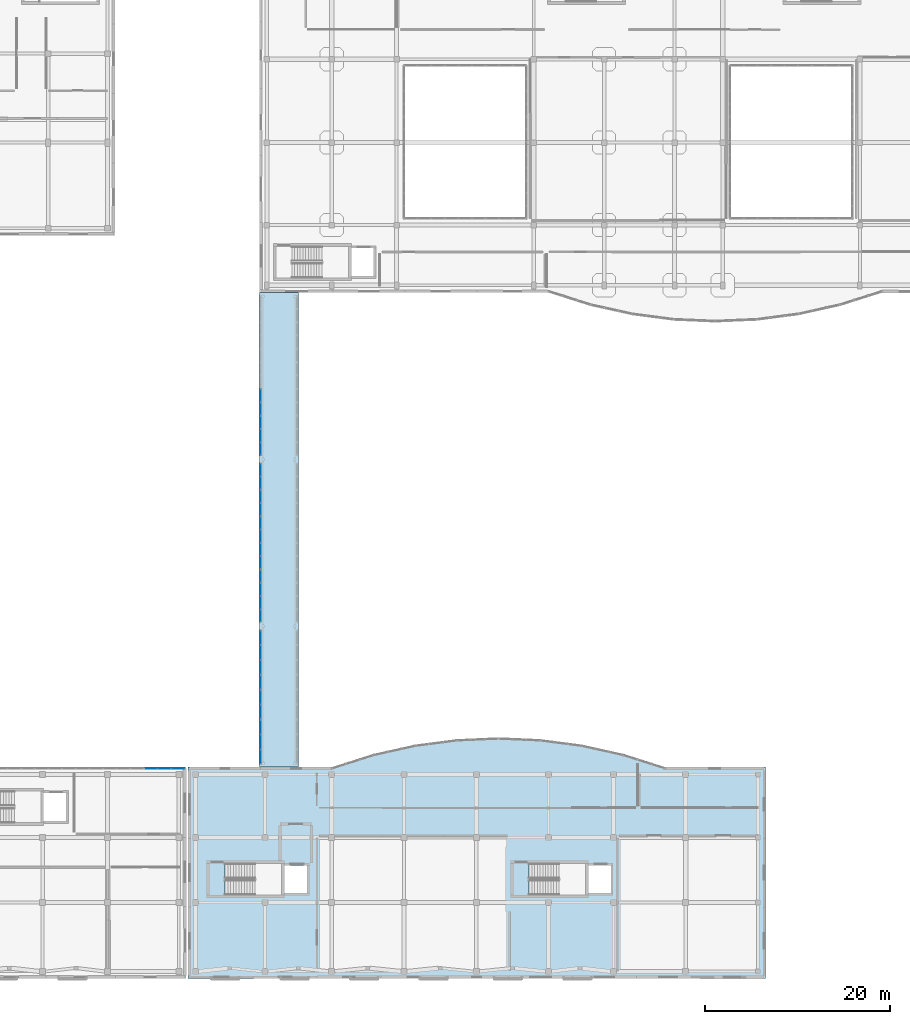
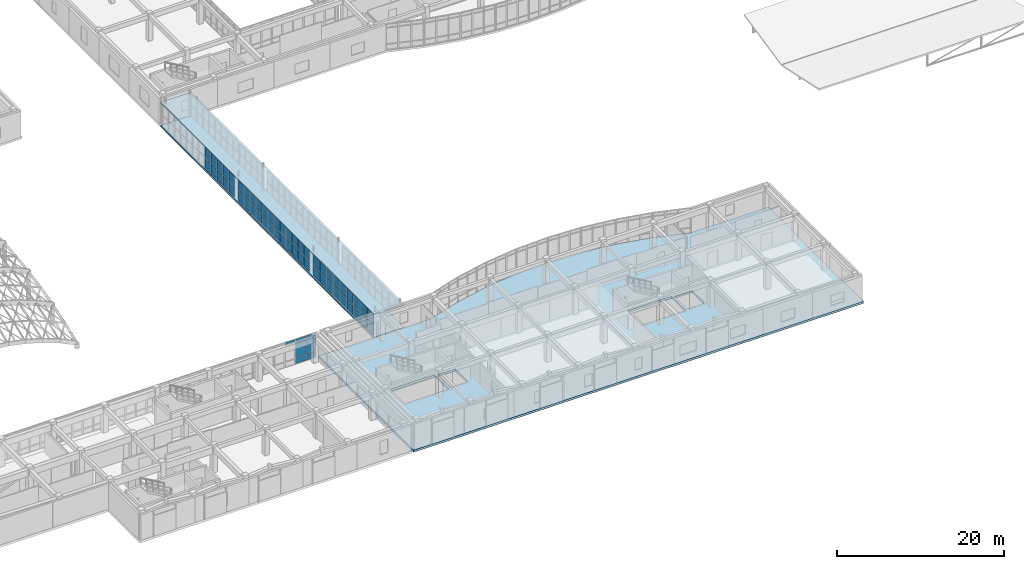
# One storey, part 113 of 146: 59 plates, 3 slabs, 9 elements without a shape of their own.
"""IFC4 building model written with IfcOpenShell, lengths in metres."""

from ifc_helpers import new_model, si_unit, direction, frame, origin, origin_2d, place, context, subcontext, project, spatial, polyline, rectangle, outline, extrude, material, layer, layer_set, type_object, element, aggregate, save


model = new_model("IFC4")

# Units and contexts
model_context = context("Model", 3, precision=1e-05, world=origin(), true_north=direction((0.0, 1.0)))
body_context = subcontext(model_context, "Body", "Model", "MODEL_VIEW")
ifc_project = project(units=[si_unit("LENGTHUNIT", "METRE"), si_unit("AREAUNIT", "SQUARE_METRE"), si_unit("VOLUMEUNIT", "CUBIC_METRE"), si_unit("PLANEANGLEUNIT", "RADIAN"), si_unit("MASSUNIT", "GRAM", prefix="KILO")], contexts=[model_context])

# Site, building, storey
site_placement = place(None, origin())
site = spatial("IfcSite", under=ifc_project, at=site_placement, CompositionType="ELEMENT")
building_placement = place(site_placement, origin())
building = spatial("IfcBuilding", under=site, at=building_placement, Name="Valcora Specialist Clinic", CompositionType="ELEMENT")
storey_placement = place(building_placement, frame((0.0, 0.0, 9.52001953125)))
storey = spatial("IfcBuildingStorey", under=building, at=storey_placement, Name="L02", CompositionType="ELEMENT", Elevation=9.52001953125)

# Curtain wall, plates
ifc_material_1 = material(Name="Anodized Bronze Aluminium 6063-T6", Category="aluminium")
ifc_layer_1 = layer(ifc_material_1, 0.175048828125)
ifc_layer_set_1 = layer_set([ifc_layer_1], Name="Anodized Bronze Aluminium 6063-T6")
curtain_wall_type_1 = type_object("IfcCurtainWallType", Name="TY-CW-BRG14", PredefinedType="NOTDEFINED", material=ifc_layer_set_1)
curtain_wall_1_placement = place(storey_placement, origin())
curtain_wall_1 = element("IfcCurtainWall", 1, at=curtain_wall_1_placement, inside=storey, type_object=curtain_wall_type_1, Name="Curtain wall CW-L02-250", PredefinedType="NOTDEFINED")
ifc_material_2 = material(Name="Low-E Laminated Insulating Glass", Category="glass")
ifc_layer_2 = layer(ifc_material_2, 0.028076171875)
ifc_layer_set_2 = layer_set([ifc_layer_2], Name="Low-E Laminated Insulating Glass")
plate_type_1 = type_object("IfcPlateType", Name="TY-CWP-GLZ28", PredefinedType="CURTAIN_PANEL", material=ifc_layer_set_2)
plate_1_placement = place(storey_placement, frame((61.320068359375, 28.755126953125, 0.06494140625), z_axis=(0.0, 0.0, 1.0), x_axis=(0.0, 1.0, 0.0)))
plate_1 = element("IfcPlate", 2, at=plate_1_placement, type_object=plate_type_1, Name="CW-BRG-14 panel 1.1", PredefinedType="CURTAIN_PANEL", context=body_context, shape_type="SweptSolid", body=[
    extrude(rectangle(XDim=1.513671875, YDim=0.028076171875, at=origin_2d()), origin(), (0.0, 0.0, 1.0), 1.5224609375),
])
plate_2_placement = place(storey_placement, frame((61.320068359375, 28.755126953125, 1.652587890625), z_axis=(0.0, 0.0, 1.0), x_axis=(0.0, 1.0, 0.0)))
plate_2 = element("IfcPlate", 3, at=plate_2_placement, type_object=plate_type_1, Name="CW-BRG-14 panel 1.2", PredefinedType="CURTAIN_PANEL", context=body_context, shape_type="SweptSolid", body=[
    extrude(rectangle(XDim=1.513671875, YDim=0.028076171875, at=origin_2d()), origin(), (0.0, 0.0, 1.0), 1.5224609375),
])
plate_3_placement = place(storey_placement, frame((61.320068359375, 30.35009765625, 0.06494140625), z_axis=(0.0, 0.0, 1.0), x_axis=(0.0, 1.0, 0.0)))
plate_3 = element("IfcPlate", 4, at=plate_3_placement, type_object=plate_type_1, Name="CW-BRG-14 panel 2.1", PredefinedType="CURTAIN_PANEL", context=body_context, shape_type="SweptSolid", body=[
    extrude(rectangle(XDim=1.546142578125, YDim=0.028076171875, at=origin_2d()), origin(), (0.0, 0.0, 1.0), 1.5224609375),
])
plate_4_placement = place(storey_placement, frame((61.320068359375, 30.35009765625, 1.652587890625), z_axis=(0.0, 0.0, 1.0), x_axis=(0.0, 1.0, 0.0)))
plate_4 = element("IfcPlate", 5, at=plate_4_placement, type_object=plate_type_1, Name="CW-BRG-14 panel 2.2", PredefinedType="CURTAIN_PANEL", context=body_context, shape_type="SweptSolid", body=[
    extrude(rectangle(XDim=1.546142578125, YDim=0.028076171875, at=origin_2d()), origin(), (0.0, 0.0, 1.0), 1.5224609375),
])
plate_5_placement = place(storey_placement, frame((61.320068359375, 31.94482421875, 0.06494140625), z_axis=(0.0, 0.0, 1.0), x_axis=(0.0, 1.0, 0.0)))
plate_5 = element("IfcPlate", 6, at=plate_5_placement, type_object=plate_type_1, Name="CW-BRG-14 panel 3.1", PredefinedType="CURTAIN_PANEL", context=body_context, shape_type="SweptSolid", body=[
    extrude(rectangle(XDim=1.513671875, YDim=0.028076171875, at=origin_2d()), origin(), (0.0, 0.0, 1.0), 1.5224609375),
])
plate_6_placement = place(storey_placement, frame((61.320068359375, 31.94482421875, 1.652587890625), z_axis=(0.0, 0.0, 1.0), x_axis=(0.0, 1.0, 0.0)))
plate_6 = element("IfcPlate", 7, at=plate_6_placement, type_object=plate_type_1, Name="CW-BRG-14 panel 3.2", PredefinedType="CURTAIN_PANEL", context=body_context, shape_type="SweptSolid", body=[
    extrude(rectangle(XDim=1.513671875, YDim=0.028076171875, at=origin_2d()), origin(), (0.0, 0.0, 1.0), 1.5224609375),
])
aggregate(curtain_wall_1, [plate_1, plate_2, plate_3, plate_4, plate_5, plate_6])

curtain_wall_2_placement = place(storey_placement, origin())
curtain_wall_2 = element("IfcCurtainWall", 8, at=curtain_wall_2_placement, inside=storey, type_object=curtain_wall_type_1, Name="Curtain wall CW-L02-252", PredefinedType="NOTDEFINED")
plate_7_placement = place(storey_placement, frame((61.320068359375, 39.1328125, 0.06494140625), z_axis=(0.0, 0.0, 1.0), x_axis=(0.0, 1.0, 0.0)))
plate_7 = element("IfcPlate", 9, at=plate_7_placement, type_object=plate_type_1, Name="CW-BRG-14 panel 1.1", PredefinedType="CURTAIN_PANEL", context=body_context, shape_type="SweptSolid", body=[
    extrude(rectangle(XDim=1.3359375, YDim=0.028076171875, at=origin_2d()), origin(), (0.0, 0.0, 1.0), 1.5224609375),
])
plate_8_placement = place(storey_placement, frame((61.320068359375, 39.1328125, 1.652587890625), z_axis=(0.0, 0.0, 1.0), x_axis=(0.0, 1.0, 0.0)))
plate_8 = element("IfcPlate", 10, at=plate_8_placement, type_object=plate_type_1, Name="CW-BRG-14 panel 1.2", PredefinedType="CURTAIN_PANEL", context=body_context, shape_type="SweptSolid", body=[
    extrude(rectangle(XDim=1.3359375, YDim=0.028076171875, at=origin_2d()), origin(), (0.0, 0.0, 1.0), 1.5224609375),
])
plate_9_placement = place(storey_placement, frame((61.320068359375, 40.550048828125, 0.06494140625), z_axis=(0.0, 0.0, 1.0), x_axis=(0.0, 1.0, 0.0)))
plate_9 = element("IfcPlate", 11, at=plate_9_placement, type_object=plate_type_1, Name="CW-BRG-14 panel 2.1", PredefinedType="CURTAIN_PANEL", context=body_context, shape_type="SweptSolid", body=[
    extrude(rectangle(XDim=1.368408203125, YDim=0.028076171875, at=origin_2d()), origin(), (0.0, 0.0, 1.0), 1.5224609375),
])
plate_10_placement = place(storey_placement, frame((61.320068359375, 40.550048828125, 1.652587890625), z_axis=(0.0, 0.0, 1.0), x_axis=(0.0, 1.0, 0.0)))
plate_10 = element("IfcPlate", 12, at=plate_10_placement, type_object=plate_type_1, Name="CW-BRG-14 panel 2.2", PredefinedType="CURTAIN_PANEL", context=body_context, shape_type="SweptSolid", body=[
    extrude(rectangle(XDim=1.368408203125, YDim=0.028076171875, at=origin_2d()), origin(), (0.0, 0.0, 1.0), 1.5224609375),
])
plate_11_placement = place(storey_placement, frame((61.320068359375, 41.9833984375, 0.06494140625), z_axis=(0.0, 0.0, 1.0), x_axis=(0.0, 1.0, 0.0)))
plate_11 = element("IfcPlate", 13, at=plate_11_placement, type_object=plate_type_1, Name="CW-BRG-14 panel 3.1", PredefinedType="CURTAIN_PANEL", context=body_context, shape_type="SweptSolid", body=[
    extrude(rectangle(XDim=1.368408203125, YDim=0.028076171875, at=origin_2d()), origin(), (0.0, 0.0, 1.0), 1.5224609375),
])
plate_12_placement = place(storey_placement, frame((61.320068359375, 41.9833984375, 1.652587890625), z_axis=(0.0, 0.0, 1.0), x_axis=(0.0, 1.0, 0.0)))
plate_12 = element("IfcPlate", 14, at=plate_12_placement, type_object=plate_type_1, Name="CW-BRG-14 panel 3.2", PredefinedType="CURTAIN_PANEL", context=body_context, shape_type="SweptSolid", body=[
    extrude(rectangle(XDim=1.368408203125, YDim=0.028076171875, at=origin_2d()), origin(), (0.0, 0.0, 1.0), 1.5224609375),
])
plate_13_placement = place(storey_placement, frame((61.320068359375, 43.400390625, 0.06494140625), z_axis=(0.0, 0.0, 1.0), x_axis=(0.0, 1.0, 0.0)))
plate_13 = element("IfcPlate", 15, at=plate_13_placement, type_object=plate_type_1, Name="CW-BRG-14 panel 4.1", PredefinedType="CURTAIN_PANEL", context=body_context, shape_type="SweptSolid", body=[
    extrude(rectangle(XDim=1.3359375, YDim=0.028076171875, at=origin_2d()), origin(), (0.0, 0.0, 1.0), 1.5224609375),
])
plate_14_placement = place(storey_placement, frame((61.320068359375, 43.400390625, 1.652587890625), z_axis=(0.0, 0.0, 1.0), x_axis=(0.0, 1.0, 0.0)))
plate_14 = element("IfcPlate", 16, at=plate_14_placement, type_object=plate_type_1, Name="CW-BRG-14 panel 4.2", PredefinedType="CURTAIN_PANEL", context=body_context, shape_type="SweptSolid", body=[
    extrude(rectangle(XDim=1.3359375, YDim=0.028076171875, at=origin_2d()), origin(), (0.0, 0.0, 1.0), 1.5224609375),
])
aggregate(curtain_wall_2, [plate_7, plate_8, plate_9, plate_10, plate_11, plate_12, plate_13, plate_14])

curtain_wall_3_placement = place(storey_placement, origin())
curtain_wall_3 = element("IfcCurtainWall", 17, at=curtain_wall_3_placement, inside=storey, type_object=curtain_wall_type_1, Name="Curtain wall CW-L02-254", PredefinedType="NOTDEFINED")
plate_15_placement = place(storey_placement, frame((61.320068359375, 50.599609375, 0.06494140625), z_axis=(0.0, 0.0, 1.0), x_axis=(0.0, 1.0, 0.0)))
plate_15 = element("IfcPlate", 18, at=plate_15_placement, type_object=plate_type_1, Name="CW-BRG-14 panel 1.1", PredefinedType="CURTAIN_PANEL", context=body_context, shape_type="SweptSolid", body=[
    extrude(rectangle(XDim=1.3359375, YDim=0.028076171875, at=origin_2d()), origin(), (0.0, 0.0, 1.0), 1.5224609375),
])
plate_16_placement = place(storey_placement, frame((61.320068359375, 50.599609375, 1.652587890625), z_axis=(0.0, 0.0, 1.0), x_axis=(0.0, 1.0, 0.0)))
plate_16 = element("IfcPlate", 19, at=plate_16_placement, type_object=plate_type_1, Name="CW-BRG-14 panel 1.2", PredefinedType="CURTAIN_PANEL", context=body_context, shape_type="SweptSolid", body=[
    extrude(rectangle(XDim=1.3359375, YDim=0.028076171875, at=origin_2d()), origin(), (0.0, 0.0, 1.0), 1.5224609375),
])
plate_17_placement = place(storey_placement, frame((61.320068359375, 52.0166015625, 0.06494140625), z_axis=(0.0, 0.0, 1.0), x_axis=(0.0, 1.0, 0.0)))
plate_17 = element("IfcPlate", 20, at=plate_17_placement, type_object=plate_type_1, Name="CW-BRG-14 panel 2.1", PredefinedType="CURTAIN_PANEL", context=body_context, shape_type="SweptSolid", body=[
    extrude(rectangle(XDim=1.368408203125, YDim=0.028076171875, at=origin_2d()), origin(), (0.0, 0.0, 1.0), 1.5224609375),
])
plate_18_placement = place(storey_placement, frame((61.320068359375, 52.0166015625, 1.652587890625), z_axis=(0.0, 0.0, 1.0), x_axis=(0.0, 1.0, 0.0)))
plate_18 = element("IfcPlate", 21, at=plate_18_placement, type_object=plate_type_1, Name="CW-BRG-14 panel 2.2", PredefinedType="CURTAIN_PANEL", context=body_context, shape_type="SweptSolid", body=[
    extrude(rectangle(XDim=1.368408203125, YDim=0.028076171875, at=origin_2d()), origin(), (0.0, 0.0, 1.0), 1.5224609375),
])
plate_19_placement = place(storey_placement, frame((61.320068359375, 53.449951171875, 0.06494140625), z_axis=(0.0, 0.0, 1.0), x_axis=(0.0, 1.0, 0.0)))
plate_19 = element("IfcPlate", 22, at=plate_19_placement, type_object=plate_type_1, Name="CW-BRG-14 panel 3.1", PredefinedType="CURTAIN_PANEL", context=body_context, shape_type="SweptSolid", body=[
    extrude(rectangle(XDim=1.368408203125, YDim=0.028076171875, at=origin_2d()), origin(), (0.0, 0.0, 1.0), 1.5224609375),
])
plate_20_placement = place(storey_placement, frame((61.320068359375, 53.449951171875, 1.652587890625), z_axis=(0.0, 0.0, 1.0), x_axis=(0.0, 1.0, 0.0)))
plate_20 = element("IfcPlate", 23, at=plate_20_placement, type_object=plate_type_1, Name="CW-BRG-14 panel 3.2", PredefinedType="CURTAIN_PANEL", context=body_context, shape_type="SweptSolid", body=[
    extrude(rectangle(XDim=1.368408203125, YDim=0.028076171875, at=origin_2d()), origin(), (0.0, 0.0, 1.0), 1.5224609375),
])
plate_21_placement = place(storey_placement, frame((61.320068359375, 54.8671875, 0.06494140625), z_axis=(0.0, 0.0, 1.0), x_axis=(0.0, 1.0, 0.0)))
plate_21 = element("IfcPlate", 24, at=plate_21_placement, type_object=plate_type_1, Name="CW-BRG-14 panel 4.1", PredefinedType="CURTAIN_PANEL", context=body_context, shape_type="SweptSolid", body=[
    extrude(rectangle(XDim=1.3359375, YDim=0.028076171875, at=origin_2d()), origin(), (0.0, 0.0, 1.0), 1.5224609375),
])
plate_22_placement = place(storey_placement, frame((61.320068359375, 54.8671875, 1.652587890625), z_axis=(0.0, 0.0, 1.0), x_axis=(0.0, 1.0, 0.0)))
plate_22 = element("IfcPlate", 25, at=plate_22_placement, type_object=plate_type_1, Name="CW-BRG-14 panel 4.2", PredefinedType="CURTAIN_PANEL", context=body_context, shape_type="SweptSolid", body=[
    extrude(rectangle(XDim=1.3359375, YDim=0.028076171875, at=origin_2d()), origin(), (0.0, 0.0, 1.0), 1.5224609375),
])
aggregate(curtain_wall_3, [plate_15, plate_16, plate_17, plate_18, plate_19, plate_20, plate_21, plate_22])

curtain_wall_4_placement = place(storey_placement, origin())
curtain_wall_4 = element("IfcCurtainWall", 26, at=curtain_wall_4_placement, inside=storey, type_object=curtain_wall_type_1, Name="Curtain wall CW-L02-256", PredefinedType="NOTDEFINED")
plate_23_placement = place(storey_placement, frame((61.320068359375, 62.90380859375, 0.06494140625), z_axis=(0.0, 0.0, 1.0), x_axis=(0.0, 1.0, 0.0)))
plate_23 = element("IfcPlate", 27, at=plate_23_placement, type_object=plate_type_1, Name="CW-BRG-14 panel 1.1", PredefinedType="CURTAIN_PANEL", context=body_context, shape_type="SweptSolid", body=[
    extrude(rectangle(XDim=1.34423828125, YDim=0.028076171875, at=origin_2d()), origin(), (0.0, 0.0, 1.0), 1.5224609375),
])
plate_24_placement = place(storey_placement, frame((61.320068359375, 62.90380859375, 1.652587890625), z_axis=(0.0, 0.0, 1.0), x_axis=(0.0, 1.0, 0.0)))
plate_24 = element("IfcPlate", 28, at=plate_24_placement, type_object=plate_type_1, Name="CW-BRG-14 panel 1.2", PredefinedType="CURTAIN_PANEL", context=body_context, shape_type="SweptSolid", body=[
    extrude(rectangle(XDim=1.34423828125, YDim=0.028076171875, at=origin_2d()), origin(), (0.0, 0.0, 1.0), 1.5224609375),
])
aggregate(curtain_wall_4, [plate_23, plate_24])

ifc_layer_3 = layer(ifc_material_1, 0.175048828125)
ifc_layer_set_3 = layer_set([ifc_layer_3], Name="Anodized Bronze Aluminium 6063-T6")
curtain_wall_type_2 = type_object("IfcCurtainWallType", Name="TY-CW-V5F15", PredefinedType="NOTDEFINED", material=ifc_layer_set_3)
curtain_wall_5_placement = place(storey_placement, origin())
curtain_wall_5 = element("IfcCurtainWall", 29, at=curtain_wall_5_placement, inside=storey, type_object=curtain_wall_type_2, Name="Curtain wall CW-L02-151", PredefinedType="NOTDEFINED")
ifc_layer_4 = layer(ifc_material_2, 0.033935546875)
ifc_layer_set_4 = layer_set([ifc_layer_4], Name="Low-E Laminated Insulating Glass")
plate_type_2 = type_object("IfcPlateType", Name="TY-CWP-GLZ34", PredefinedType="CURTAIN_PANEL", material=ifc_layer_set_4)
plate_25_placement = place(storey_placement, frame((49.469482421875, 22.64990234375, 3.2177734375), z_axis=(0.0, 0.0, 1.0), x_axis=(1.0, 0.0, 0.0)))
plate_25 = element("IfcPlate", 30, at=plate_25_placement, type_object=plate_type_2, Name="CW-V5F-15 panel 2.3", PredefinedType="CURTAIN_PANEL", context=body_context, shape_type="SweptSolid", body=[
    extrude(rectangle(XDim=1.4072265625, YDim=0.033935546875, at=origin_2d()), origin(), (0.0, 0.0, 1.0), 0.452392578125),
])
plate_26_placement = place(storey_placement, frame((50.941650390625, 22.64990234375, 0.882568359375), z_axis=(0.0, 0.0, 1.0), x_axis=(1.0, 0.0, 0.0)))
plate_26 = element("IfcPlate", 31, at=plate_26_placement, type_object=plate_type_2, Name="CW-V5F-15 panel 3.2", PredefinedType="CURTAIN_PANEL", context=body_context, shape_type="SweptSolid", body=[
    extrude(rectangle(XDim=1.4072265625, YDim=0.033935546875, at=origin_2d()), origin(), (0.0, 0.0, 1.0), 2.27001953125),
])
plate_27_placement = place(storey_placement, frame((50.941650390625, 22.64990234375, 3.2177734375), z_axis=(0.0, 0.0, 1.0), x_axis=(1.0, 0.0, 0.0)))
plate_27 = element("IfcPlate", 32, at=plate_27_placement, type_object=plate_type_2, Name="CW-V5F-15 panel 3.3", PredefinedType="CURTAIN_PANEL", context=body_context, shape_type="SweptSolid", body=[
    extrude(rectangle(XDim=1.4072265625, YDim=0.033935546875, at=origin_2d()), origin(), (0.0, 0.0, 1.0), 0.452392578125),
])
plate_28_placement = place(storey_placement, frame((52.397705078125, 22.64990234375, 0.882568359375), z_axis=(0.0, 0.0, 1.0), x_axis=(1.0, 0.0, 0.0)))
plate_28 = element("IfcPlate", 33, at=plate_28_placement, type_object=plate_type_2, Name="CW-V5F-15 panel 4.2", PredefinedType="CURTAIN_PANEL", context=body_context, shape_type="SweptSolid", body=[
    extrude(rectangle(XDim=1.374755859375, YDim=0.033935546875, at=origin_2d()), origin(), (0.0, 0.0, 1.0), 2.27001953125),
])
plate_29_placement = place(storey_placement, frame((52.397705078125, 22.64990234375, 3.2177734375), z_axis=(0.0, 0.0, 1.0), x_axis=(1.0, 0.0, 0.0)))
plate_29 = element("IfcPlate", 34, at=plate_29_placement, type_object=plate_type_2, Name="CW-V5F-15 panel 4.3", PredefinedType="CURTAIN_PANEL", context=body_context, shape_type="SweptSolid", body=[
    extrude(rectangle(XDim=1.374755859375, YDim=0.033935546875, at=origin_2d()), origin(), (0.0, 0.0, 1.0), 0.452392578125),
])

curtain_wall_6_placement = place(storey_placement, origin())
curtain_wall_6 = element("IfcCurtainWall", 35, at=curtain_wall_6_placement, inside=storey, type_object=curtain_wall_type_1, Name="Curtain wall CW-L02-249", PredefinedType="NOTDEFINED")
plate_30_placement = place(storey_placement, frame((61.320068359375, 23.921875, 0.06494140625), z_axis=(0.0, 0.0, 1.0), x_axis=(0.0, 1.0, 0.0)))
plate_30 = element("IfcPlate", 36, at=plate_30_placement, type_object=plate_type_2, Name="CW-BRG-14 panel 1.1", PredefinedType="CURTAIN_PANEL", context=body_context, shape_type="SweptSolid", body=[
    extrude(rectangle(XDim=1.513671875, YDim=0.033935546875, at=origin_2d()), origin(), (0.0, 0.0, 1.0), 1.5224609375),
])
plate_31_placement = place(storey_placement, frame((61.320068359375, 23.921875, 1.652587890625), z_axis=(0.0, 0.0, 1.0), x_axis=(0.0, 1.0, 0.0)))
plate_31 = element("IfcPlate", 37, at=plate_31_placement, type_object=plate_type_2, Name="CW-BRG-14 panel 1.2", PredefinedType="CURTAIN_PANEL", context=body_context, shape_type="SweptSolid", body=[
    extrude(rectangle(XDim=1.513671875, YDim=0.033935546875, at=origin_2d()), origin(), (0.0, 0.0, 1.0), 1.5224609375),
])
plate_32_placement = place(storey_placement, frame((61.320068359375, 25.5166015625, 0.06494140625), z_axis=(0.0, 0.0, 1.0), x_axis=(0.0, 1.0, 0.0)))
plate_32 = element("IfcPlate", 38, at=plate_32_placement, type_object=plate_type_2, Name="CW-BRG-14 panel 2.1", PredefinedType="CURTAIN_PANEL", context=body_context, shape_type="SweptSolid", body=[
    extrude(rectangle(XDim=1.546142578125, YDim=0.033935546875, at=origin_2d()), origin(), (0.0, 0.0, 1.0), 1.5224609375),
])
plate_33_placement = place(storey_placement, frame((61.320068359375, 25.5166015625, 1.652587890625), z_axis=(0.0, 0.0, 1.0), x_axis=(0.0, 1.0, 0.0)))
plate_33 = element("IfcPlate", 39, at=plate_33_placement, type_object=plate_type_2, Name="CW-BRG-14 panel 2.2", PredefinedType="CURTAIN_PANEL", context=body_context, shape_type="SweptSolid", body=[
    extrude(rectangle(XDim=1.546142578125, YDim=0.033935546875, at=origin_2d()), origin(), (0.0, 0.0, 1.0), 1.5224609375),
])
plate_34_placement = place(storey_placement, frame((61.320068359375, 27.111572265625, 0.06494140625), z_axis=(0.0, 0.0, 1.0), x_axis=(0.0, 1.0, 0.0)))
plate_34 = element("IfcPlate", 40, at=plate_34_placement, type_object=plate_type_2, Name="CW-BRG-14 panel 3.1", PredefinedType="CURTAIN_PANEL", context=body_context, shape_type="SweptSolid", body=[
    extrude(rectangle(XDim=1.513671875, YDim=0.033935546875, at=origin_2d()), origin(), (0.0, 0.0, 1.0), 1.5224609375),
])
plate_35_placement = place(storey_placement, frame((61.320068359375, 27.111572265625, 1.652587890625), z_axis=(0.0, 0.0, 1.0), x_axis=(0.0, 1.0, 0.0)))
plate_35 = element("IfcPlate", 41, at=plate_35_placement, type_object=plate_type_2, Name="CW-BRG-14 panel 3.2", PredefinedType="CURTAIN_PANEL", context=body_context, shape_type="SweptSolid", body=[
    extrude(rectangle(XDim=1.513671875, YDim=0.033935546875, at=origin_2d()), origin(), (0.0, 0.0, 1.0), 1.5224609375),
])
aggregate(curtain_wall_6, [plate_30, plate_31, plate_32, plate_33, plate_34, plate_35])

curtain_wall_7_placement = place(storey_placement, origin())
curtain_wall_7 = element("IfcCurtainWall", 42, at=curtain_wall_7_placement, inside=storey, type_object=curtain_wall_type_1, Name="Curtain wall CW-L02-251", PredefinedType="NOTDEFINED")
plate_36_placement = place(storey_placement, frame((61.320068359375, 33.58837890625, 0.06494140625), z_axis=(0.0, 0.0, 1.0), x_axis=(0.0, 1.0, 0.0)))
plate_36 = element("IfcPlate", 43, at=plate_36_placement, type_object=plate_type_2, Name="CW-BRG-14 panel 1.1", PredefinedType="CURTAIN_PANEL", context=body_context, shape_type="SweptSolid", body=[
    extrude(rectangle(XDim=1.513671875, YDim=0.033935546875, at=origin_2d()), origin(), (0.0, 0.0, 1.0), 1.5224609375),
])
plate_37_placement = place(storey_placement, frame((61.320068359375, 33.58837890625, 1.652587890625), z_axis=(0.0, 0.0, 1.0), x_axis=(0.0, 1.0, 0.0)))
plate_37 = element("IfcPlate", 44, at=plate_37_placement, type_object=plate_type_2, Name="CW-BRG-14 panel 1.2", PredefinedType="CURTAIN_PANEL", context=body_context, shape_type="SweptSolid", body=[
    extrude(rectangle(XDim=1.513671875, YDim=0.033935546875, at=origin_2d()), origin(), (0.0, 0.0, 1.0), 1.5224609375),
])
plate_38_placement = place(storey_placement, frame((61.320068359375, 35.183349609375, 0.06494140625), z_axis=(0.0, 0.0, 1.0), x_axis=(0.0, 1.0, 0.0)))
plate_38 = element("IfcPlate", 45, at=plate_38_placement, type_object=plate_type_2, Name="CW-BRG-14 panel 2.1", PredefinedType="CURTAIN_PANEL", context=body_context, shape_type="SweptSolid", body=[
    extrude(rectangle(XDim=1.546142578125, YDim=0.033935546875, at=origin_2d()), origin(), (0.0, 0.0, 1.0), 1.5224609375),
])
plate_39_placement = place(storey_placement, frame((61.320068359375, 35.183349609375, 1.652587890625), z_axis=(0.0, 0.0, 1.0), x_axis=(0.0, 1.0, 0.0)))
plate_39 = element("IfcPlate", 46, at=plate_39_placement, type_object=plate_type_2, Name="CW-BRG-14 panel 2.2", PredefinedType="CURTAIN_PANEL", context=body_context, shape_type="SweptSolid", body=[
    extrude(rectangle(XDim=1.546142578125, YDim=0.033935546875, at=origin_2d()), origin(), (0.0, 0.0, 1.0), 1.5224609375),
])
plate_40_placement = place(storey_placement, frame((61.320068359375, 36.7783203125, 0.06494140625), z_axis=(0.0, 0.0, 1.0), x_axis=(0.0, 1.0, 0.0)))
plate_40 = element("IfcPlate", 47, at=plate_40_placement, type_object=plate_type_2, Name="CW-BRG-14 panel 3.1", PredefinedType="CURTAIN_PANEL", context=body_context, shape_type="SweptSolid", body=[
    extrude(rectangle(XDim=1.513671875, YDim=0.033935546875, at=origin_2d()), origin(), (0.0, 0.0, 1.0), 1.5224609375),
])
plate_41_placement = place(storey_placement, frame((61.320068359375, 36.7783203125, 1.652587890625), z_axis=(0.0, 0.0, 1.0), x_axis=(0.0, 1.0, 0.0)))
plate_41 = element("IfcPlate", 48, at=plate_41_placement, type_object=plate_type_2, Name="CW-BRG-14 panel 3.2", PredefinedType="CURTAIN_PANEL", context=body_context, shape_type="SweptSolid", body=[
    extrude(rectangle(XDim=1.513671875, YDim=0.033935546875, at=origin_2d()), origin(), (0.0, 0.0, 1.0), 1.5224609375),
])
aggregate(curtain_wall_7, [plate_36, plate_37, plate_38, plate_39, plate_40, plate_41])

curtain_wall_8_placement = place(storey_placement, origin())
curtain_wall_8 = element("IfcCurtainWall", 49, at=curtain_wall_8_placement, inside=storey, type_object=curtain_wall_type_1, Name="Curtain wall CW-L02-253", PredefinedType="NOTDEFINED")
plate_42_placement = place(storey_placement, frame((61.320068359375, 44.8662109375, 0.06494140625), z_axis=(0.0, 0.0, 1.0), x_axis=(0.0, 1.0, 0.0)))
plate_42 = element("IfcPlate", 50, at=plate_42_placement, type_object=plate_type_2, Name="CW-BRG-14 panel 1.1", PredefinedType="CURTAIN_PANEL", context=body_context, shape_type="SweptSolid", body=[
    extrude(rectangle(XDim=1.3359375, YDim=0.033935546875, at=origin_2d()), origin(), (0.0, 0.0, 1.0), 1.5224609375),
])
plate_43_placement = place(storey_placement, frame((61.320068359375, 44.8662109375, 1.652587890625), z_axis=(0.0, 0.0, 1.0), x_axis=(0.0, 1.0, 0.0)))
plate_43 = element("IfcPlate", 51, at=plate_43_placement, type_object=plate_type_2, Name="CW-BRG-14 panel 1.2", PredefinedType="CURTAIN_PANEL", context=body_context, shape_type="SweptSolid", body=[
    extrude(rectangle(XDim=1.3359375, YDim=0.033935546875, at=origin_2d()), origin(), (0.0, 0.0, 1.0), 1.5224609375),
])
plate_44_placement = place(storey_placement, frame((61.320068359375, 46.283203125, 0.06494140625), z_axis=(0.0, 0.0, 1.0), x_axis=(0.0, 1.0, 0.0)))
plate_44 = element("IfcPlate", 52, at=plate_44_placement, type_object=plate_type_2, Name="CW-BRG-14 panel 2.1", PredefinedType="CURTAIN_PANEL", context=body_context, shape_type="SweptSolid", body=[
    extrude(rectangle(XDim=1.368408203125, YDim=0.033935546875, at=origin_2d()), origin(), (0.0, 0.0, 1.0), 1.5224609375),
])
plate_45_placement = place(storey_placement, frame((61.320068359375, 46.283203125, 1.652587890625), z_axis=(0.0, 0.0, 1.0), x_axis=(0.0, 1.0, 0.0)))
plate_45 = element("IfcPlate", 53, at=plate_45_placement, type_object=plate_type_2, Name="CW-BRG-14 panel 2.2", PredefinedType="CURTAIN_PANEL", context=body_context, shape_type="SweptSolid", body=[
    extrude(rectangle(XDim=1.368408203125, YDim=0.033935546875, at=origin_2d()), origin(), (0.0, 0.0, 1.0), 1.5224609375),
])
plate_46_placement = place(storey_placement, frame((61.320068359375, 47.716796875, 0.06494140625), z_axis=(0.0, 0.0, 1.0), x_axis=(0.0, 1.0, 0.0)))
plate_46 = element("IfcPlate", 54, at=plate_46_placement, type_object=plate_type_2, Name="CW-BRG-14 panel 3.1", PredefinedType="CURTAIN_PANEL", context=body_context, shape_type="SweptSolid", body=[
    extrude(rectangle(XDim=1.368408203125, YDim=0.033935546875, at=origin_2d()), origin(), (0.0, 0.0, 1.0), 1.5224609375),
])
plate_47_placement = place(storey_placement, frame((61.320068359375, 47.716796875, 1.652587890625), z_axis=(0.0, 0.0, 1.0), x_axis=(0.0, 1.0, 0.0)))
plate_47 = element("IfcPlate", 55, at=plate_47_placement, type_object=plate_type_2, Name="CW-BRG-14 panel 3.2", PredefinedType="CURTAIN_PANEL", context=body_context, shape_type="SweptSolid", body=[
    extrude(rectangle(XDim=1.368408203125, YDim=0.033935546875, at=origin_2d()), origin(), (0.0, 0.0, 1.0), 1.5224609375),
])
plate_48_placement = place(storey_placement, frame((61.320068359375, 49.1337890625, 0.06494140625), z_axis=(0.0, 0.0, 1.0), x_axis=(0.0, 1.0, 0.0)))
plate_48 = element("IfcPlate", 56, at=plate_48_placement, type_object=plate_type_2, Name="CW-BRG-14 panel 4.1", PredefinedType="CURTAIN_PANEL", context=body_context, shape_type="SweptSolid", body=[
    extrude(rectangle(XDim=1.3359375, YDim=0.033935546875, at=origin_2d()), origin(), (0.0, 0.0, 1.0), 1.5224609375),
])
plate_49_placement = place(storey_placement, frame((61.320068359375, 49.1337890625, 1.652587890625), z_axis=(0.0, 0.0, 1.0), x_axis=(0.0, 1.0, 0.0)))
plate_49 = element("IfcPlate", 57, at=plate_49_placement, type_object=plate_type_2, Name="CW-BRG-14 panel 4.2", PredefinedType="CURTAIN_PANEL", context=body_context, shape_type="SweptSolid", body=[
    extrude(rectangle(XDim=1.3359375, YDim=0.033935546875, at=origin_2d()), origin(), (0.0, 0.0, 1.0), 1.5224609375),
])
aggregate(curtain_wall_8, [plate_42, plate_43, plate_44, plate_45, plate_46, plate_47, plate_48, plate_49])

curtain_wall_9_placement = place(storey_placement, origin())
curtain_wall_9 = element("IfcCurtainWall", 58, at=curtain_wall_9_placement, inside=storey, type_object=curtain_wall_type_1, Name="Curtain wall CW-L02-255", PredefinedType="NOTDEFINED")
plate_50_placement = place(storey_placement, frame((61.320068359375, 57.13720703125, 0.06494140625), z_axis=(0.0, 0.0, 1.0), x_axis=(0.0, 1.0, 0.0)))
plate_50 = element("IfcPlate", 59, at=plate_50_placement, type_object=plate_type_2, Name="CW-BRG-14 panel 1.1", PredefinedType="CURTAIN_PANEL", context=body_context, shape_type="SweptSolid", body=[
    extrude(rectangle(XDim=1.34423828125, YDim=0.033935546875, at=origin_2d()), origin(), (0.0, 0.0, 1.0), 1.5224609375),
])
plate_51_placement = place(storey_placement, frame((61.320068359375, 57.13720703125, 1.652587890625), z_axis=(0.0, 0.0, 1.0), x_axis=(0.0, 1.0, 0.0)))
plate_51 = element("IfcPlate", 60, at=plate_51_placement, type_object=plate_type_2, Name="CW-BRG-14 panel 1.2", PredefinedType="CURTAIN_PANEL", context=body_context, shape_type="SweptSolid", body=[
    extrude(rectangle(XDim=1.34423828125, YDim=0.033935546875, at=origin_2d()), origin(), (0.0, 0.0, 1.0), 1.5224609375),
])
plate_52_placement = place(storey_placement, frame((61.320068359375, 58.5625, 0.06494140625), z_axis=(0.0, 0.0, 1.0), x_axis=(0.0, 1.0, 0.0)))
plate_52 = element("IfcPlate", 61, at=plate_52_placement, type_object=plate_type_2, Name="CW-BRG-14 panel 2.1", PredefinedType="CURTAIN_PANEL", context=body_context, shape_type="SweptSolid", body=[
    extrude(rectangle(XDim=1.376708984375, YDim=0.033935546875, at=origin_2d()), origin(), (0.0, 0.0, 1.0), 1.5224609375),
])
plate_53_placement = place(storey_placement, frame((61.320068359375, 58.5625, 1.652587890625), z_axis=(0.0, 0.0, 1.0), x_axis=(0.0, 1.0, 0.0)))
plate_53 = element("IfcPlate", 62, at=plate_53_placement, type_object=plate_type_2, Name="CW-BRG-14 panel 2.2", PredefinedType="CURTAIN_PANEL", context=body_context, shape_type="SweptSolid", body=[
    extrude(rectangle(XDim=1.376708984375, YDim=0.033935546875, at=origin_2d()), origin(), (0.0, 0.0, 1.0), 1.5224609375),
])
plate_54_placement = place(storey_placement, frame((61.320068359375, 60.004150390625, 0.06494140625), z_axis=(0.0, 0.0, 1.0), x_axis=(0.0, 1.0, 0.0)))
plate_54 = element("IfcPlate", 63, at=plate_54_placement, type_object=plate_type_2, Name="CW-BRG-14 panel 3.1", PredefinedType="CURTAIN_PANEL", context=body_context, shape_type="SweptSolid", body=[
    extrude(rectangle(XDim=1.376708984375, YDim=0.033935546875, at=origin_2d()), origin(), (0.0, 0.0, 1.0), 1.5224609375),
])
plate_55_placement = place(storey_placement, frame((61.320068359375, 60.004150390625, 1.652587890625), z_axis=(0.0, 0.0, 1.0), x_axis=(0.0, 1.0, 0.0)))
plate_55 = element("IfcPlate", 64, at=plate_55_placement, type_object=plate_type_2, Name="CW-BRG-14 panel 3.2", PredefinedType="CURTAIN_PANEL", context=body_context, shape_type="SweptSolid", body=[
    extrude(rectangle(XDim=1.376708984375, YDim=0.033935546875, at=origin_2d()), origin(), (0.0, 0.0, 1.0), 1.5224609375),
])
plate_56_placement = place(storey_placement, frame((61.320068359375, 61.4296875, 0.06494140625), z_axis=(0.0, 0.0, 1.0), x_axis=(0.0, 1.0, 0.0)))
plate_56 = element("IfcPlate", 65, at=plate_56_placement, type_object=plate_type_2, Name="CW-BRG-14 panel 4.1", PredefinedType="CURTAIN_PANEL", context=body_context, shape_type="SweptSolid", body=[
    extrude(rectangle(XDim=1.34423828125, YDim=0.033935546875, at=origin_2d()), origin(), (0.0, 0.0, 1.0), 1.5224609375),
])
plate_57_placement = place(storey_placement, frame((61.320068359375, 61.4296875, 1.652587890625), z_axis=(0.0, 0.0, 1.0), x_axis=(0.0, 1.0, 0.0)))
plate_57 = element("IfcPlate", 66, at=plate_57_placement, type_object=plate_type_2, Name="CW-BRG-14 panel 4.2", PredefinedType="CURTAIN_PANEL", context=body_context, shape_type="SweptSolid", body=[
    extrude(rectangle(XDim=1.34423828125, YDim=0.033935546875, at=origin_2d()), origin(), (0.0, 0.0, 1.0), 1.5224609375),
])
aggregate(curtain_wall_9, [plate_50, plate_51, plate_52, plate_53, plate_54, plate_55, plate_56, plate_57])

# Plate
ifc_material_3 = material(Name="Insulated Spandrel Panel")
ifc_layer_5 = layer(ifc_material_3, 0.044921875)
ifc_layer_set_5 = layer_set([ifc_layer_5], Name="Insulated Spandrel Panel")
plate_type_3 = type_object("IfcPlateType", Name="TY-CWP-SPN45", PredefinedType="SHEET", material=ifc_layer_set_5)
plate_58_placement = place(storey_placement, frame((50.941650390625, 22.64990234375, 0.06494140625), z_axis=(0.0, 0.0, 1.0), x_axis=(1.0, 0.0, 0.0)))
plate_58 = element("IfcPlate", 67, at=plate_58_placement, type_object=plate_type_3, Name="CW-V5F-15 panel 3.1", PredefinedType="SHEET", context=body_context, shape_type="SweptSolid", body=[
    extrude(rectangle(XDim=1.4072265625, YDim=0.044921875, at=origin_2d()), origin(), (0.0, 0.0, 1.0), 0.75244140625),
])

plate_59_placement = place(storey_placement, frame((52.397705078125, 22.64990234375, 0.06494140625), z_axis=(0.0, 0.0, 1.0), x_axis=(1.0, 0.0, 0.0)))
plate_59 = element("IfcPlate", 68, at=plate_59_placement, type_object=plate_type_3, Name="CW-V5F-15 panel 4.1", PredefinedType="SHEET", context=body_context, shape_type="SweptSolid", body=[
    extrude(rectangle(XDim=1.374755859375, YDim=0.044921875, at=origin_2d()), origin(), (0.0, 0.0, 1.0), 0.75244140625),
])

aggregate(curtain_wall_5, [plate_25, plate_58, plate_26, plate_27, plate_59, plate_28, plate_29])

# Slabs
ifc_material_4 = material(Name="Concrete C40/50", Category="concrete")
ifc_layer_6 = layer(ifc_material_4, 0.25)
ifc_layer_set_6 = layer_set([ifc_layer_6], Name="Concrete C40/50")
slab_type_1 = type_object("IfcSlabType", Name="TY-SL-BRG250", PredefinedType="FLOOR", material=ifc_layer_set_6)
slab_1_placement = place(storey_placement, frame((0.0, 0.0, -0.25)))
element("IfcSlab", 69, at=slab_1_placement, inside=storey, type_object=slab_type_1, Name="Link bridge deck BRG-E-L02 SL-L02-082", PredefinedType="FLOOR", context=body_context, shape_type="SweptSolid", body=[
    extrude(outline(polyline([(61.199951171875, 22.800048828125), (65.39990234375, 22.800048828125), (65.39990234375, 74.0), (61.199951171875, 74.0), (61.199951171875, 22.800048828125)])), origin(), (0.0, 0.0, 1.0), 0.25),
])
ifc_layer_7 = layer(ifc_material_4, 0.159912109375)
ifc_layer_set_7 = layer_set([ifc_layer_7], Name="Concrete C40/50")
slab_type_2 = type_object("IfcSlabType", Name="TY-SL-CNP160", PredefinedType="ROOF", material=ifc_layer_set_7)
slab_2_placement = place(storey_placement, frame((0.0, 0.0, 3.239990234375)))
element("IfcSlab", 70, at=slab_2_placement, inside=storey, type_object=slab_type_2, Name="Link bridge roof BRG-E-L02 SL-L02-083", PredefinedType="ROOF", context=body_context, shape_type="SweptSolid", body=[
    extrude(outline(polyline([(61.199951171875, 22.800048828125), (65.39990234375, 22.800048828125), (65.39990234375, 74.0), (61.199951171875, 74.0), (61.199951171875, 22.800048828125)])), origin(), (0.0, 0.0, 1.0), 0.159912109375),
])
ifc_layer_8 = layer(ifc_material_4, 0.31494140625)
ifc_layer_set_8 = layer_set([ifc_layer_8], Name="Concrete C40/50")
slab_type_3 = type_object("IfcSlabType", Name="TY-SL-FLR315", PredefinedType="FLOOR", material=ifc_layer_set_8)
slab_3_placement = place(storey_placement, frame((0.0, 0.0, -0.31494140625)))
element("IfcSlab", 71, at=slab_3_placement, inside=storey, type_object=slab_type_3, Name="V6 L02 structural slab SL-L02-023", PredefinedType="FLOOR", context=body_context, shape_type="SweptSolid", body=[
    extrude(outline(polyline([(53.5, 0.0), (115.800048828125, 0.0), (115.800048828125, 22.800048828125), (105.0, 22.800048828125), (100.5, 24.23193359375), (96.0, 25.22998046875), (91.5, 25.820068359375), (87.0, 26.014892578125), (82.5, 25.820068359375), (78.0, 25.22998046875), (73.5, 24.23193359375), (69.0, 22.800048828125), (53.5, 22.800048828125), (53.5, 0.0)]), holes=[polyline([(57.500732421875, 9.0), (63.60009765625, 9.0), (63.60009765625, 12.39990234375), (57.500732421875, 12.39990234375), (57.500732421875, 9.0)]), polyline([(63.919921875, 9.199951171875), (66.320068359375, 9.199951171875), (66.320068359375, 12.199951171875), (63.919921875, 12.199951171875), (63.919921875, 9.199951171875)]), polyline([(90.30078125, 9.0), (96.39990234375, 9.0), (96.39990234375, 12.39990234375), (90.30078125, 12.39990234375), (90.30078125, 9.0)]), polyline([(96.719970703125, 9.199951171875), (99.1201171875, 9.199951171875), (99.1201171875, 12.199951171875), (96.719970703125, 12.199951171875), (96.719970703125, 9.199951171875)])]), origin(), (0.0, 0.0, 1.0), 0.31494140625),
])

save(model, "model.ifc")
